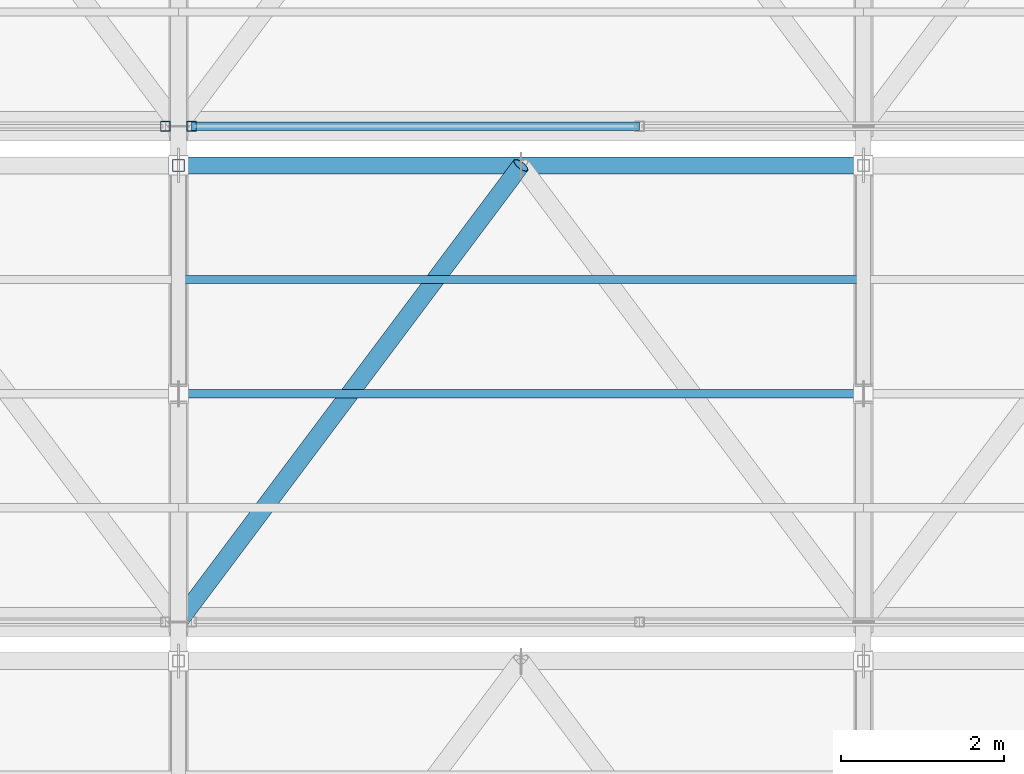
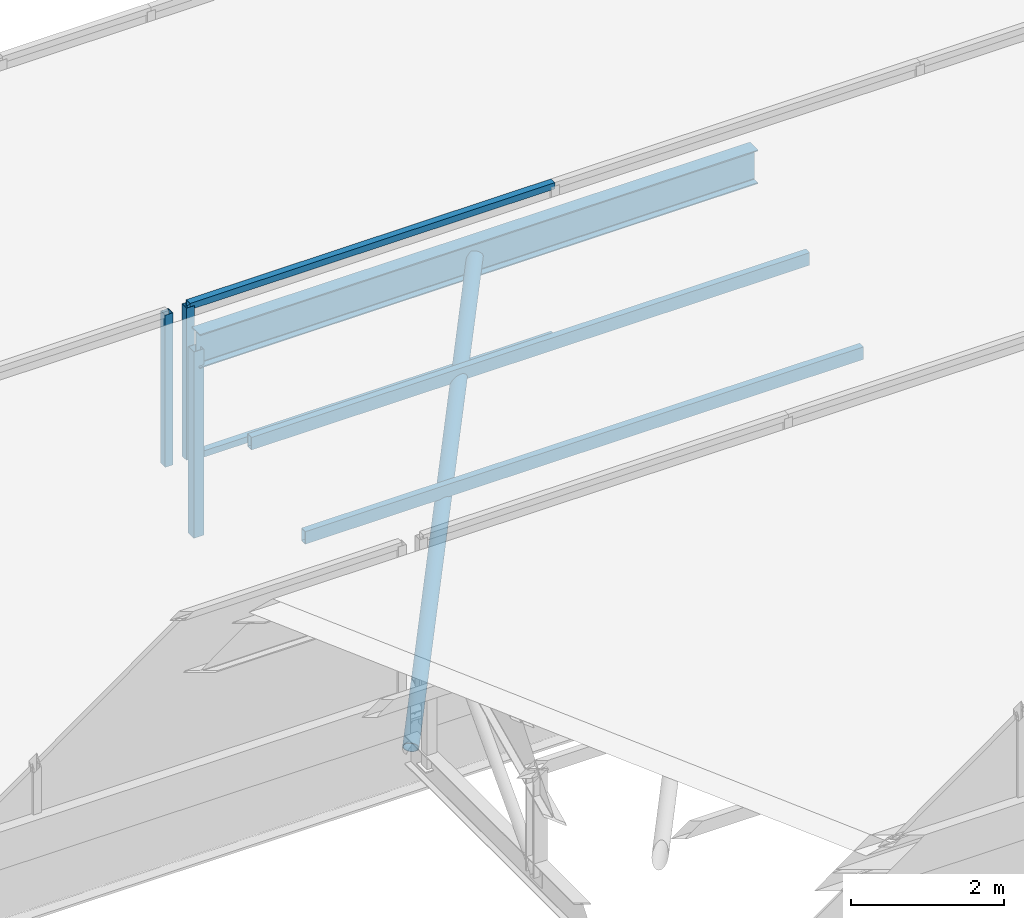
# One storey, part 106 of 217: 9 members, 2 elements without a shape of their own.
"""IFC4 building model written with IfcOpenShell, lengths in metres."""

import ifcopenshell
import ifcopenshell.guid

model = None  # the IFC model being written
_history = None  # IfcOwnerHistory: only IFC2X3 demands one
_inside = {}  # id of a spatial element -> (the spatial element, [elements in it])
_under = {}  # id of a project, library or spatial element -> (it, [spatial elements below it])
_declared = {}  # id of a project -> (the project, [libraries it declares])
_typed = {}  # id of a type object -> (the type object, [elements of that type])
_made_of = {}  # id of a material, layer set ... -> (it, [elements and type objects made of it])


def new_model(schema):
    """Start an empty IFC model of exactly this schema.

    Asked for "IFC4X3", IfcOpenShell would pick the latest addendum, in which some entities
    have other attributes; the version numbers below select the first issue.
    IFC2X3 requires an IfcOwnerHistory on every rooted entity: one is made here for all.
    """
    global model, _history
    if schema == "IFC4X3":
        model = ifcopenshell.file(schema_version=(4, 3, 0, 0))
    else:
        model = ifcopenshell.file(schema=schema)
    _inside.clear()
    _under.clear()
    _declared.clear()
    _typed.clear()
    _made_of.clear()
    _history = None
    if model.schema == "IFC2X3":
        org = make("IfcOrganization", Name="unknown")
        user = make(
            "IfcPersonAndOrganization",
            ThePerson=make("IfcPerson", FamilyName="unknown"),
            TheOrganization=org,
        )
        app = make(
            "IfcApplication",
            ApplicationDeveloper=org,
            Version="unknown",
            ApplicationFullName="unknown",
            ApplicationIdentifier="unknown",
        )
        _history = make(
            "IfcOwnerHistory",
            OwningUser=user,
            OwningApplication=app,
            ChangeAction="ADDED",
            CreationDate=0,
        )
    return model


def make(cls, **values):
    """One entity of the class cls with the attributes given. An attribute that is None is left unset."""
    return model.create_entity(
        cls, **{name: value for name, value in values.items() if value is not None}
    )


def rooted(cls, **values):
    """An entity with a GlobalId (a new one), such as an element, a storey or a relation."""
    return make(cls, GlobalId=ifcopenshell.guid.new(), OwnerHistory=_history, **values)


def si_unit(unit_type, name, prefix=None):
    """IfcSIUnit, for example si_unit("LENGTHUNIT", "METRE", prefix="MILLI")."""
    return make("IfcSIUnit", UnitType=unit_type, Prefix=prefix, Name=name)


def assignment(units):
    """IfcUnitAssignment: the units of a project."""
    return None if units is None else make("IfcUnitAssignment", Units=units)


def point(xyz):
    """IfcCartesianPoint."""
    return None if xyz is None else make("IfcCartesianPoint", Coordinates=xyz)


def direction(xyz):
    """IfcDirection."""
    return None if xyz is None else make("IfcDirection", DirectionRatios=xyz)


def frame(location, z_axis=None, x_axis=None):
    """IfcAxis2Placement3D, a coordinate frame: its origin and axes. An axis left out is left unset."""
    return make(
        "IfcAxis2Placement3D",
        Location=point(location),
        Axis=direction(z_axis),
        RefDirection=direction(x_axis),
    )


def frame_2d(location, x_axis=None):
    """IfcAxis2Placement2D, a coordinate frame in the plane: its origin and x axis."""
    return make(
        "IfcAxis2Placement2D", Location=point(location), RefDirection=direction(x_axis)
    )


def origin():
    """The frame at (0, 0, 0) with its axes left unset."""
    return frame((0.0, 0.0, 0.0))


def origin_2d():
    """The frame at (0, 0) in the plane with its x axis left unset."""
    return frame_2d((0.0, 0.0))


def place(relative_to, where):
    """IfcLocalPlacement: puts the frame where relative to a parent placement (None: the world)."""
    return make(
        "IfcLocalPlacement", PlacementRelTo=relative_to, RelativePlacement=where
    )


def context(
    kind, dimensions, precision=None, world=None, true_north=None, identifier=None
):
    """IfcGeometricRepresentationContext, for example the 3D "Model" context."""
    return make(
        "IfcGeometricRepresentationContext",
        ContextIdentifier=identifier,
        ContextType=kind,
        CoordinateSpaceDimension=dimensions,
        Precision=precision,
        WorldCoordinateSystem=world,
        TrueNorth=true_north,
    )


def subcontext(parent, identifier, kind, view, scale=None):
    """IfcGeometricRepresentationSubContext, for example "Body" below "Model"."""
    return make(
        "IfcGeometricRepresentationSubContext",
        ContextIdentifier=identifier,
        ContextType=kind,
        ParentContext=parent,
        TargetScale=scale,
        TargetView=view,
    )


def project(units=None, contexts=None):
    """IfcProject with its units and contexts."""
    return rooted(
        "IfcProject",
        Name="project",
        RepresentationContexts=contexts,
        UnitsInContext=assignment(units),
    )


def spatial(cls, under=None, at=None, **own):
    """A site, building, storey or space (cls), placed at a placement, below another one or the project."""
    s = rooted(cls, ObjectPlacement=at, **own)
    if under is not None:
        _under.setdefault(under.id(), (under, []))[1].append(s)
    return s


def profile(cls, at=None, kind="AREA", **sizes):
    """A parametric profile (cls). Its sizes go by their IFC names, for example OverallWidth=200.0."""
    return make(cls, ProfileType=kind, Position=at, **sizes)


def hollow_rectangle(**sizes):
    """IfcRectangleHollowProfileDef."""
    return profile("IfcRectangleHollowProfileDef", **sizes)


def hollow_circle(**sizes):
    """IfcCircleHollowProfileDef."""
    return profile("IfcCircleHollowProfileDef", **sizes)


def i_section(**sizes):
    """IfcIShapeProfileDef."""
    return profile("IfcIShapeProfileDef", **sizes)


def extrude(swept, where, along, depth):
    """IfcExtrudedAreaSolid: the profile swept, set in the frame where, extruded along a direction by depth."""
    return make(
        "IfcExtrudedAreaSolid",
        SweptArea=swept,
        Position=where,
        ExtrudedDirection=direction(along),
        Depth=depth,
    )


def shape(context_of_items, identifier, shape_type, items):
    """IfcShapeRepresentation: the items that make up one representation, for example the "Body"."""
    return make(
        "IfcShapeRepresentation",
        ContextOfItems=context_of_items,
        RepresentationIdentifier=identifier,
        RepresentationType=shape_type,
        Items=items,
    )


def material(Name=None, Category=None):
    """IfcMaterial."""
    return make("IfcMaterial", Name=Name, Category=Category)


def material_profile(
    of_material, cross_section, Name=None, Category=None, Priority=None
):
    """IfcMaterialProfile: a cross section and its material."""
    return make(
        "IfcMaterialProfile",
        Name=Name,
        Material=of_material,
        Profile=cross_section,
        Priority=Priority,
        Category=Category,
    )


def profile_set(profiles, Name=None, composite=None):
    """IfcMaterialProfileSet."""
    return make(
        "IfcMaterialProfileSet",
        Name=Name,
        MaterialProfiles=profiles,
        CompositeProfile=composite,
    )


def made_of(thing, what):
    """Note that an element or type object is made of a material, layer set ...; save() writes the relation."""
    if what is not None:
        _made_of.setdefault(what.id(), (what, []))[1].append(thing)
    return thing


def type_object(cls, material=None, **own):
    """A type object (cls), such as IfcWallType, which elements share."""
    return made_of(rooted(cls, **own), material)


def element(
    cls,
    number,
    at=None,
    inside=None,
    cuts=None,
    type_object=None,
    material=None,
    context=None,
    identifier="Body",
    shape_type=None,
    held_by="IfcProductDefinitionShape",
    body=None,
    shapes=None,
    **own,
):
    """One element of the class cls, such as IfcWall. Its Tag is "e" and its number.

    at: its placement. inside: the storey or other place that contains it. cuts: it is an
    opening in that element (IfcRelVoidsElement). A single representation is given by context,
    identifier, shape_type and body (its items); several are given by shapes. held_by: the class
    of the entity that holds the representations. save() writes the other relations.
    """
    e = rooted(cls, Tag="e%d" % number, ObjectPlacement=at, **own)
    if body is not None:
        shapes = [shape(context, identifier, shape_type, body)]
    if shapes is not None:
        e.Representation = make(held_by, Representations=shapes)
    if inside is not None:
        _inside.setdefault(inside.id(), (inside, []))[1].append(e)
    if cuts is not None:
        rooted(
            "IfcRelVoidsElement", RelatingBuildingElement=cuts, RelatedOpeningElement=e
        )
    if type_object is not None:
        _typed.setdefault(type_object.id(), (type_object, []))[1].append(e)
    return made_of(e, material)


def aggregate(whole, parts):
    """IfcRelAggregates: a whole, such as a stair, and the parts it consists of."""
    return rooted("IfcRelAggregates", RelatingObject=whole, RelatedObjects=parts)


def save(model, path):
    """Write the relations noted so far, then the file.

    IfcRelAggregates (storeys below a building ...), IfcRelContainedInSpatialStructure (elements
    in a storey), IfcRelDefinesByType, IfcRelAssociatesMaterial and IfcRelDeclares: one each for
    every whole, place, type object, material and project.
    """
    for whole, parts in _under.values():
        aggregate(whole, parts)
    for where, things in _inside.values():
        rooted(
            "IfcRelContainedInSpatialStructure",
            RelatedElements=things,
            RelatingStructure=where,
        )
    for kind, things in _typed.values():
        rooted("IfcRelDefinesByType", RelatedObjects=things, RelatingType=kind)
    for what, things in _made_of.values():
        rooted("IfcRelAssociatesMaterial", RelatedObjects=things, RelatingMaterial=what)
    for by, libraries in _declared.values():
        rooted("IfcRelDeclares", RelatingContext=by, RelatedDefinitions=libraries)
    model.write(path)


model = new_model("IFC4")

# Units and contexts
model_context = context("Model", 3, precision=1e-05, world=origin(), true_north=direction((0.0, 1.0)))
body_context = subcontext(model_context, "Body", "Model", "MODEL_VIEW")
ifc_project = project(units=[si_unit("LENGTHUNIT", "METRE"), si_unit("AREAUNIT", "SQUARE_METRE"), si_unit("VOLUMEUNIT", "CUBIC_METRE"), si_unit("PLANEANGLEUNIT", "RADIAN"), si_unit("MASSUNIT", "GRAM", prefix="KILO")], contexts=[model_context])

# Site, building, storey
site_placement = place(None, origin())
site = spatial("IfcSite", under=ifc_project, at=site_placement, CompositionType="ELEMENT")
building_placement = place(site_placement, origin())
building = spatial("IfcBuilding", under=site, at=building_placement, Name="Zuvorla Pavilion Media Centre", CompositionType="ELEMENT")
storey_placement = place(building_placement, frame((0.0, 0.0, 9.60009765625)))
storey = spatial("IfcBuildingStorey", under=building, at=storey_placement, Name="L02", CompositionType="ELEMENT", Elevation=9.60009765625)

# Curtain wall, member
ifc_material_1 = material(Name="Unitised anodised aluminium and solar glass curtain wall", Category="aluminium")
curtain_wall_type = type_object("IfcCurtainWallType", Name="CW-SYS-88", PredefinedType="USERDEFINED", material=ifc_material_1)
curtain_wall_1_placement = place(storey_placement, origin())
curtain_wall_1 = element("IfcCurtainWall", 1, at=curtain_wall_1_placement, inside=storey, type_object=curtain_wall_type, Name="L02 curtain wall CW88 212", ObjectType="CURTAIN WALL", PredefinedType="USERDEFINED")
ifc_material_2 = material(Name="Anodised aluminium 6063-T6", Category="aluminium")
ifc_material_profile_1 = material_profile(ifc_material_2, hollow_rectangle(XDim=0.1201171875, YDim=0.1201171875, WallThickness=0.0048828125, at=origin_2d()), Name="ALU MULL 120x120")
ifc_profile_set_1 = profile_set([ifc_material_profile_1], Name="Anodised aluminium 6063-T6")
member_type_1 = type_object("IfcMemberType", Name="CW-MULL-120", PredefinedType="MULLION", material=ifc_profile_set_1)
member_1_placement = place(storey_placement, frame((83.43994140625, 113.919921875, 0.0), z_axis=(0.0, 0.0, 1.0), x_axis=(1.0, 0.0, 0.0)))
member_1 = element("IfcMember", 2, at=member_1_placement, type_object=member_type_1, Name="CW88 mullion 4", PredefinedType="MULLION", context=body_context, shape_type="SweptSolid", body=[
    extrude(hollow_rectangle(XDim=0.1201171875, YDim=0.1201171875, WallThickness=0.0048828125, at=origin_2d()), origin(), (0.0, 0.0, 1.0), 2.419921875),
])
aggregate(curtain_wall_1, [member_1])

# Curtain wall, members
curtain_wall_2_placement = place(storey_placement, origin())
curtain_wall_2 = element("IfcCurtainWall", 3, at=curtain_wall_2_placement, inside=storey, type_object=curtain_wall_type, Name="L02 curtain wall CW88 213", ObjectType="CURTAIN WALL", PredefinedType="USERDEFINED")
member_2_placement = place(storey_placement, frame((83.760009765625, 113.919921875, 0.0), z_axis=(0.0, 0.0, 1.0), x_axis=(1.0, 0.0, 0.0)))
member_2 = element("IfcMember", 4, at=member_2_placement, type_object=member_type_1, Name="CW88 mullion 1", PredefinedType="MULLION", context=body_context, shape_type="SweptSolid", body=[
    extrude(hollow_rectangle(XDim=0.1201171875, YDim=0.1201171875, WallThickness=0.0048828125, at=origin_2d()), origin(), (0.0, 0.0, 1.0), 2.419921875),
])
ifc_material_profile_2 = material_profile(ifc_material_2, hollow_rectangle(XDim=0.10009765625, YDim=0.10009765625, WallThickness=0.00439453125, at=origin_2d()), Name="ALU TRAN 100x100")
ifc_profile_set_2 = profile_set([ifc_material_profile_2], Name="Anodised aluminium 6063-T6")
member_type_2 = type_object("IfcMemberType", Name="CW-TRAN-100", PredefinedType="USERDEFINED", material=ifc_profile_set_2)
member_3_placement = place(storey_placement, frame((83.760009765625, 113.919921875, 0.0), z_axis=(1.0, 0.0, 0.0), x_axis=(0.0, 1.0, 0.0)))
member_3 = element("IfcMember", 5, at=member_3_placement, type_object=member_type_2, Name="CW88 transom 1.1", ObjectType="TRANSOM", PredefinedType="USERDEFINED", context=body_context, shape_type="SweptSolid", body=[
    extrude(hollow_rectangle(XDim=0.10009765625, YDim=0.10009765625, WallThickness=0.00439453125, at=origin_2d()), origin(), (0.0, 0.0, 1.0), 5.493408203125),
])
member_4_placement = place(storey_placement, frame((83.760009765625, 113.919921875, 2.419921875), z_axis=(1.0, 0.0, 0.0), x_axis=(0.0, 1.0, 0.0)))
member_4 = element("IfcMember", 6, at=member_4_placement, type_object=member_type_2, Name="CW88 transom 1.2", ObjectType="TRANSOM", PredefinedType="USERDEFINED", context=body_context, shape_type="SweptSolid", body=[
    extrude(hollow_rectangle(XDim=0.10009765625, YDim=0.10009765625, WallThickness=0.00439453125, at=origin_2d()), origin(), (0.0, 0.0, 1.0), 5.493408203125),
])
aggregate(curtain_wall_2, [member_2, member_3, member_4])

# Members
ifc_material_3 = material(Name="Steel S355", Category="steel")
ifc_material_profile_3 = material_profile(ifc_material_3, hollow_circle(Radius=0.109619140625, WallThickness=0.010009765625, at=origin_2d()), Name="CHS 219.1x10")
ifc_profile_set_3 = profile_set([ifc_material_profile_3], Name="Steel S355")
member_type_3 = type_object("IfcMemberType", Name="MEM-BRC-CHS219", PredefinedType="BRACE", material=ifc_profile_set_3)
member_5_placement = place(storey_placement, frame((83.60009765625, 107.840087890625, -0.880126953125), z_axis=(0.552524670006, 0.736688854033, 0.389879495972), x_axis=(-0.799995814625, 0.600005580459, 0.0)))
element("IfcMember", 7, at=member_5_placement, inside=storey, type_object=member_type_3, Name="L02 diagonal brace TB02 370", PredefinedType="BRACE", context=body_context, shape_type="SweptSolid", body=[
    extrude(hollow_circle(Radius=0.109619140625, WallThickness=0.010009765625, at=origin_2d()), origin(), (0.0, 0.0, 1.0), 7.601318359375),
])
ifc_material_profile_4 = material_profile(ifc_material_3, i_section(OverallWidth=0.2099609375, OverallDepth=0.53662109375, WebThickness=0.0107421875, FlangeThickness=0.017333984375, FilletRadius=0.0126953125, at=origin_2d()), Name="UB 533x210x101")
ifc_profile_set_4 = profile_set([ifc_material_profile_4], Name="Steel S355")
member_type_4 = type_object("IfcMemberType", Name="MEM-CHD-UB533", PredefinedType="CHORD", material=ifc_profile_set_4)
member_6_placement = place(storey_placement, frame((83.60009765625, 113.43994140625, 2.08349609375), z_axis=(1.0, 0.0, 0.0), x_axis=(0.0, 1.0, 0.0)))
element("IfcMember", 8, at=member_6_placement, inside=storey, type_object=member_type_4, Name="L02 chord TC02 369", PredefinedType="CHORD", context=body_context, shape_type="SweptSolid", body=[
    extrude(i_section(OverallWidth=0.2099609375, OverallDepth=0.53662109375, WebThickness=0.0107421875, FlangeThickness=0.017333984375, FilletRadius=0.0126953125, at=origin_2d()), origin(), (0.0, 0.0, 1.0), 8.39990234375),
])
ifc_material_profile_5 = material_profile(ifc_material_3, hollow_rectangle(XDim=0.10009765625, YDim=0.199951171875, WallThickness=0.008056640625, at=origin_2d()), Name="RHS 200x100x8")
ifc_profile_set_5 = profile_set([ifc_material_profile_5], Name="Steel S355")
member_type_5 = type_object("IfcMemberType", Name="MEM-PUR-RHS200", PredefinedType="PURLIN", material=ifc_profile_set_5)
for number, where, z_axis, x_axis, name in (
    (9, (83.60009765625, 110.639892578125, 0.783447265625), (1.0, 0.0, 0.0), (0.0, 1.0, 0.0), "L02 purlin PR01 373"),
    (10, (83.60009765625, 112.0400390625, 1.43359375), (1.0, 0.0, 0.0), (0.0, 1.0, 0.0), "L02 purlin PR01 374"),
):
    element("IfcMember", number, at=place(storey_placement, frame(where, z_axis=z_axis, x_axis=x_axis)), inside=storey, type_object=member_type_5, Name=name, PredefinedType="PURLIN", context=body_context, shape_type="SweptSolid", body=[
        extrude(hollow_rectangle(XDim=0.10009765625, YDim=0.199951171875, WallThickness=0.008056640625, at=origin_2d()), origin(), (0.0, 0.0, 1.0), 8.39990234375),
    ])
ifc_material_profile_6 = material_profile(ifc_material_3, hollow_rectangle(XDim=0.14990234375, YDim=0.14990234375, WallThickness=0.008056640625, at=origin_2d()), Name="SHS 150x150x8")
ifc_profile_set_6 = profile_set([ifc_material_profile_6], Name="Steel S355")
member_type_6 = type_object("IfcMemberType", Name="MEM-STR-SHS150", PredefinedType="STRUT", material=ifc_profile_set_6)
member_7_placement = place(storey_placement, frame((83.60009765625, 113.43994140625, -0.880126953125), z_axis=(0.0, 0.0, 1.0), x_axis=(1.0, 0.0, 0.0)))
element("IfcMember", 11, at=member_7_placement, inside=storey, type_object=member_type_6, Name="L02 vertical strut TS01 324", PredefinedType="STRUT", context=body_context, shape_type="SweptSolid", body=[
    extrude(hollow_rectangle(XDim=0.14990234375, YDim=0.14990234375, WallThickness=0.008056640625, at=origin_2d()), origin(), (0.0, 0.0, 1.0), 2.963623046875),
])

save(model, "model.ifc")
